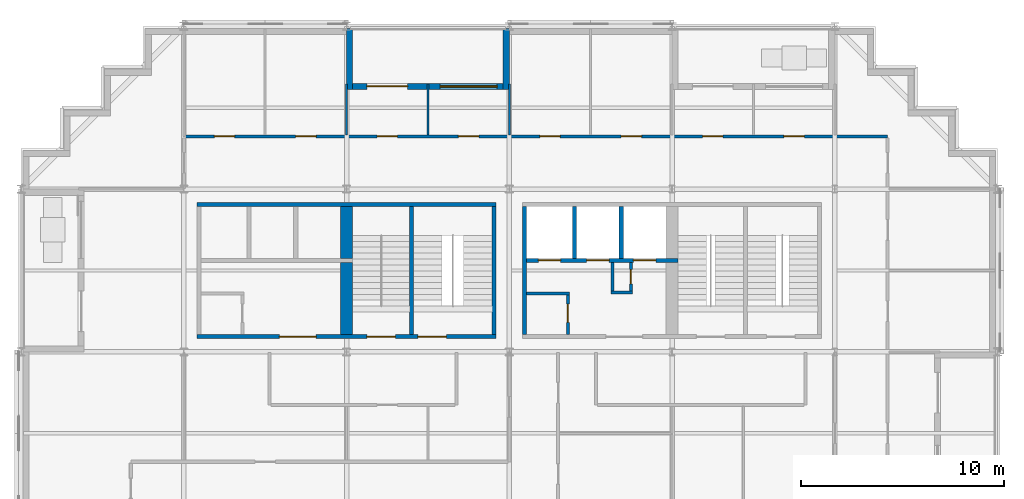
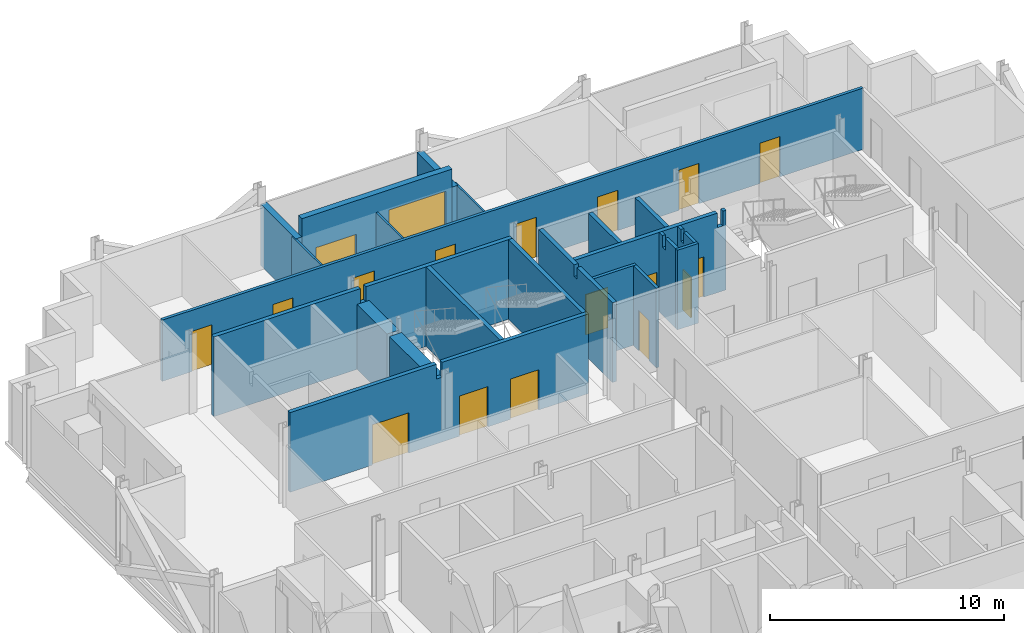
# One storey, part 10 of 15: 22 walls, 17 doors, 1 window, 18 openings.
"""IFC4 building model written with IfcOpenShell, lengths in metres."""

from ifc_helpers import new_model, si_unit, direction, frame, frame_2d, origin, place, context, subcontext, project, spatial, polyline, rectangle, outline, extrude, material, layer, layer_set, type_object, element, fill, save


model = new_model("IFC4")

# Units and contexts
model_context = context("Model", 3, precision=1e-05, world=origin(), true_north=direction((0.0, 1.0)))
body_context = subcontext(model_context, "Body", "Model", "MODEL_VIEW")
ifc_project = project(units=[si_unit("LENGTHUNIT", "METRE"), si_unit("AREAUNIT", "SQUARE_METRE"), si_unit("VOLUMEUNIT", "CUBIC_METRE"), si_unit("PLANEANGLEUNIT", "RADIAN"), si_unit("MASSUNIT", "GRAM", prefix="KILO")], contexts=[model_context])

# Site, building, storey
site_placement = place(None, origin())
site = spatial("IfcSite", under=ifc_project, at=site_placement, CompositionType="ELEMENT")
building_placement = place(site_placement, origin())
building = spatial("IfcBuilding", under=site, at=building_placement, Name="Immortelle Media Tower", CompositionType="ELEMENT")
storey_placement = place(building_placement, frame((0.0, 0.0, 109.60009765625)))
storey = spatial("IfcBuildingStorey", under=building, at=storey_placement, Name="L21", CompositionType="ELEMENT", Elevation=109.60009765625)

# Wall
ifc_material_1 = material(Name="Fire-rated gypsum board", Category="gypsum")
ifc_layer_1 = layer(ifc_material_1, 0.02490234375)
ifc_material_2 = material(Name="Steel ASTM A653 SS Gr 50 stud frame with mineral wool", Category="steel")
ifc_layer_2 = layer(ifc_material_2, 0.10009765625)
ifc_layer_3 = layer(ifc_material_1, 0.02490234375)
ifc_layer_set_1 = layer_set([ifc_layer_1, ifc_layer_2, ifc_layer_3], Name="Steel ASTM A653 SS Gr 50 stud frame with mineral wool")
wall_type_1 = type_object("IfcWallType", Name="Core partition 150", PredefinedType="PARTITIONING", material=ifc_layer_set_1)
wall_1_placement = place(storey_placement, frame((24.85009765625, 34.875, 0.0), z_axis=(0.0, 0.0, 1.0), x_axis=(1.0, 0.0, 0.0)))
element("IfcWall", 1, at=wall_1_placement, inside=storey, type_object=wall_type_1, Name="Core partition NE", PredefinedType="PARTITIONING", context=body_context, shape_type="SweptSolid", body=[
    extrude(rectangle(XDim=2.099853515625, YDim=0.14990234375, at=frame_2d((1.0498046875, 0.0))), origin(), (0.0, 0.0, 1.0), 4.14990234375),
])

# Wall, opening, door
wall_2_placement = place(storey_placement, frame((26.875, 32.85009765625, 0.0), z_axis=(0.0, 0.0, 1.0), x_axis=(0.0, 1.0, 0.0)))
wall_2 = element("IfcWall", 2, at=wall_2_placement, inside=storey, type_object=wall_type_1, Name="Core partition NE", PredefinedType="PARTITIONING", context=body_context, shape_type="SweptSolid", body=[
    extrude(rectangle(XDim=1.949951171875, YDim=0.14990234375, at=frame_2d((0.97509765625, 0.0))), origin(), (0.0, 0.0, 1.0), 4.14990234375),
])
opening_1_placement = place(wall_2_placement, frame((0.60009765625, 0.0, 0.0)))
opening_1 = element("IfcOpeningElement", 3, at=opening_1_placement, cuts=wall_2, Name="Opening N7-K028", PredefinedType="OPENING", context=body_context, shape_type="SweptSolid", body=[
    extrude(rectangle(XDim=0.89990234375, YDim=2.10009765625, at=frame_2d((0.449951171875, 1.050048828125))), frame((0.0, 0.0849609375, 0.0), z_axis=(0.0, -1.0, 0.0), x_axis=(1.0, 0.0, 0.0)), (0.0, 0.0, 1.0), 0.169921875),
])
ifc_material_3 = material(Name="Galvanised steel door leaf and frame ASTM A653", Category="steel")
door_type_1 = type_object("IfcDoorType", Name="Service door 900 x 2100", OperationType="NOTDEFINED", PredefinedType="NOTDEFINED", material=ifc_material_3)
door_1_placement = place(opening_1_placement, origin())
door_1 = element("IfcDoor", 4, at=door_1_placement, inside=storey, type_object=door_type_1, Name="Service N7-K028", OperationType="SINGLE_SWING_LEFT", OverallHeight=2.10009765625, OverallWidth=0.89990234375, PredefinedType="NOTDEFINED", context=body_context, shape_type="SweptSolid", body=[
    extrude(rectangle(XDim=0.89990234375, YDim=2.10009765625, at=frame_2d((0.449951171875, 1.050048828125))), frame((0.0, 0.02490234375, 0.0), z_axis=(0.0, -1.0, 0.0), x_axis=(1.0, 0.0, 0.0)), (0.0, 0.0, 1.0), 0.050048828125),
])
fill(opening_1, door_1)

# Walls
wall_3_placement = place(storey_placement, frame((29.0, 34.925048828125, 0.0), z_axis=(0.0, 0.0, 1.0), x_axis=(1.0, 0.0, 0.0)))
element("IfcWall", 5, at=wall_3_placement, inside=storey, type_object=wall_type_1, Name="Core partition NE", PredefinedType="PARTITIONING", context=body_context, shape_type="SweptSolid", body=[
    extrude(rectangle(XDim=1.050048828125, YDim=0.14990234375, at=frame_2d((0.52490234375, 0.0))), origin(), (0.0, 0.0, 1.0), 4.14990234375),
])
wall_4_placement = place(storey_placement, frame((29.074951171875, 35.0, 0.0), z_axis=(0.0, 0.0, 1.0), x_axis=(0.0, 1.0, 0.0)))
element("IfcWall", 6, at=wall_4_placement, inside=storey, type_object=wall_type_1, Name="Core partition NE", PredefinedType="PARTITIONING", context=body_context, shape_type="SweptSolid", body=[
    extrude(outline(polyline([(0.0, 0.0), (1.39990234375, 0.0), (1.39990234375, 4.14990234375), (1.118896484375, 4.14990234375), (1.117919921875, 3.5419921875), (0.882080078125, 3.5419921875), (0.881103515625, 4.14990234375), (0.0, 4.14990234375), (0.0, 0.0)])), frame((0.0, 0.074951171875, 0.0), z_axis=(0.0, -1.0, 0.0), x_axis=(1.0, 0.0, 0.0)), (0.0, 0.0, 1.0), 0.14990234375),
])

# Wall, opening, door
wall_5_placement = place(storey_placement, frame((29.97509765625, 35.0, 0.0), z_axis=(0.0, 0.0, 1.0), x_axis=(0.0, 1.0, 0.0)))
wall_5 = element("IfcWall", 7, at=wall_5_placement, inside=storey, type_object=wall_type_1, Name="Core partition NE", PredefinedType="PARTITIONING", context=body_context, shape_type="SweptSolid", body=[
    extrude(outline(polyline([(0.0, 0.0), (1.39990234375, 0.0), (1.39990234375, 4.14990234375), (1.118896484375, 4.14990234375), (1.117919921875, 3.5419921875), (0.882080078125, 3.5419921875), (0.881103515625, 4.14990234375), (0.0, 4.14990234375), (0.0, 0.0)])), frame((0.0, 0.074951171875, 0.0), z_axis=(0.0, -1.0, 0.0), x_axis=(1.0, 0.0, 0.0)), (0.0, 0.0, 1.0), 0.14990234375),
])
opening_2_placement = place(wall_5_placement, frame((0.35009765625, 0.0, 0.0)))
opening_2 = element("IfcOpeningElement", 8, at=opening_2_placement, cuts=wall_5, Name="Opening N7-K031", PredefinedType="OPENING", context=body_context, shape_type="SweptSolid", body=[
    extrude(rectangle(XDim=0.699951171875, YDim=2.10009765625, at=frame_2d((0.35009765625, 1.050048828125))), frame((0.0, 0.0849609375, 0.0), z_axis=(0.0, -1.0, 0.0), x_axis=(1.0, 0.0, 0.0)), (0.0, 0.0, 1.0), 0.169921875),
])
door_type_2 = type_object("IfcDoorType", Name="Service door 700 x 2100", OperationType="NOTDEFINED", PredefinedType="NOTDEFINED", material=ifc_material_3)
door_2_placement = place(opening_2_placement, origin())
door_2 = element("IfcDoor", 9, at=door_2_placement, inside=storey, type_object=door_type_2, Name="Service N7-K031", OperationType="SINGLE_SWING_RIGHT", OverallHeight=2.10009765625, OverallWidth=0.699951171875, PredefinedType="NOTDEFINED", context=body_context, shape_type="SweptSolid", body=[
    extrude(rectangle(XDim=0.699951171875, YDim=2.10009765625, at=frame_2d((0.35009765625, 1.050048828125))), frame((0.0, 0.02490234375, 0.0), z_axis=(0.0, -1.0, 0.0), x_axis=(1.0, 0.0, 0.0)), (0.0, 0.0, 1.0), 0.050048828125),
])
fill(opening_2, door_2)

# Wall
ifc_layer_4 = layer(ifc_material_1, 0.03759765625)
ifc_layer_5 = layer(ifc_material_2, 0.125)
ifc_layer_6 = layer(ifc_material_1, 0.03759765625)
ifc_layer_set_2 = layer_set([ifc_layer_4, ifc_layer_5, ifc_layer_6], Name="Steel ASTM A653 SS Gr 50 stud frame with mineral wool")
wall_type_2 = type_object("IfcWallType", Name="Core shaft wall 200", PredefinedType="PARTITIONING", material=ifc_layer_set_2)
wall_6_placement = place(storey_placement, frame((24.75, 32.85009765625, 0.0), z_axis=(0.0, 0.0, 1.0), x_axis=(0.0, 1.0, 0.0)))
element("IfcWall", 10, at=wall_6_placement, inside=storey, type_object=wall_type_2, Name="Core shaft wall NE", PredefinedType="PARTITIONING", context=body_context, shape_type="SweptSolid", body=[
    extrude(outline(polyline([(0.0, 0.0), (6.2998046875, 0.0), (6.300048828125, 4.14990234375), (3.26904296875, 4.14990234375), (3.26806640625, 3.5419921875), (3.031982421875, 3.5419921875), (3.031005859375, 4.14990234375), (0.0, 4.14990234375), (0.0, 0.0)])), frame((0.0, 0.10009765625, 0.0), z_axis=(0.0, -1.0, 0.0), x_axis=(1.0, 0.0, 0.0)), (0.0, 0.0, 1.0), 0.199951171875),
])

# Wall, openings, doors
wall_7_placement = place(storey_placement, frame((24.85009765625, 36.5, 0.0), z_axis=(0.0, 0.0, 1.0), x_axis=(1.0, 0.0, 0.0)))
wall_7 = element("IfcWall", 11, at=wall_7_placement, inside=storey, type_object=wall_type_2, Name="Core shaft wall NE", PredefinedType="PARTITIONING", context=body_context, shape_type="SweptSolid", body=[
    extrude(outline(polyline([(0.0, 0.0), (7.449951171875, 0.0), (7.449951171875, 4.14990234375), (7.28857421875, 4.14990234375), (7.28759765625, 3.3818359375), (7.012451171875, 3.3818359375), (7.011474609375, 4.14990234375), (0.0, 4.14990234375), (0.0, 0.0)])), frame((0.0, 0.10009765625, 0.0), z_axis=(0.0, -1.0, 0.0), x_axis=(1.0, 0.0, 0.0)), (0.0, 0.0, 1.0), 0.199951171875),
])
opening_3_placement = place(wall_7_placement, frame((0.574951171875, 0.0, 0.0)))
opening_3 = element("IfcOpeningElement", 12, at=opening_3_placement, cuts=wall_7, Name="Opening LD", PredefinedType="OPENING", context=body_context, shape_type="SweptSolid", body=[
    extrude(rectangle(XDim=1.10009765625, YDim=2.10009765625, at=frame_2d((0.550048828125, 1.050048828125))), frame((0.0, 0.10986328125, 0.0), z_axis=(0.0, -1.0, 0.0), x_axis=(1.0, 0.0, 0.0)), (0.0, 0.0, 1.0), 0.219970703125),
])
opening_4_placement = place(wall_7_placement, frame((2.949951171875, 0.0, 0.0)))
opening_4 = element("IfcOpeningElement", 13, at=opening_4_placement, cuts=wall_7, Name="Opening LD", PredefinedType="OPENING", context=body_context, shape_type="SweptSolid", body=[
    extrude(rectangle(XDim=1.10009765625, YDim=2.10009765625, at=frame_2d((0.550048828125, 1.050048828125))), frame((0.0, 0.10986328125, 0.0), z_axis=(0.0, -1.0, 0.0), x_axis=(1.0, 0.0, 0.0)), (0.0, 0.0, 1.0), 0.219970703125),
])
opening_5_placement = place(wall_7_placement, frame((5.25, 0.0, 0.0)))
opening_5 = element("IfcOpeningElement", 14, at=opening_5_placement, cuts=wall_7, Name="Opening LD", PredefinedType="OPENING", context=body_context, shape_type="SweptSolid", body=[
    extrude(rectangle(XDim=1.10009765625, YDim=2.10009765625, at=frame_2d((0.550048828125, 1.050048828125))), frame((0.0, 0.10986328125, 0.0), z_axis=(0.0, -1.0, 0.0), x_axis=(1.0, 0.0, 0.0)), (0.0, 0.0, 1.0), 0.219970703125),
])
ifc_material_4 = material(Name="Stainless steel AISI 304", Category="steel")
door_type_3 = type_object("IfcDoorType", Name="Landing door 1100 x 2100", OperationType="SLIDING_TO_LEFT", PredefinedType="NOTDEFINED", material=ifc_material_4)
door_3_placement = place(opening_3_placement, origin())
door_3 = element("IfcDoor", 15, at=door_3_placement, inside=storey, type_object=door_type_3, Name="Landing door LR1 L21", OperationType="SLIDING_TO_LEFT", OverallHeight=2.10009765625, OverallWidth=1.10009765625, PredefinedType="NOTDEFINED", context=body_context, shape_type="SweptSolid", body=[
    extrude(rectangle(XDim=1.10009765625, YDim=2.10009765625, at=frame_2d((0.550048828125, 1.050048828125))), frame((0.0, 0.02490234375, 0.0), z_axis=(0.0, -1.0, 0.0), x_axis=(1.0, 0.0, 0.0)), (0.0, 0.0, 1.0), 0.050048828125),
])
fill(opening_3, door_3)
door_4_placement = place(opening_4_placement, origin())
door_4 = element("IfcDoor", 16, at=door_4_placement, inside=storey, type_object=door_type_3, Name="Landing door LR2 L21", OperationType="SLIDING_TO_LEFT", OverallHeight=2.10009765625, OverallWidth=1.10009765625, PredefinedType="NOTDEFINED", context=body_context, shape_type="SweptSolid", body=[
    extrude(rectangle(XDim=1.10009765625, YDim=2.10009765625, at=frame_2d((0.550048828125, 1.050048828125))), frame((0.0, 0.02490234375, 0.0), z_axis=(0.0, -1.0, 0.0), x_axis=(1.0, 0.0, 0.0)), (0.0, 0.0, 1.0), 0.050048828125),
])
fill(opening_4, door_4)
door_5_placement = place(opening_5_placement, origin())
door_5 = element("IfcDoor", 17, at=door_5_placement, inside=storey, type_object=door_type_3, Name="Landing door LR3 L21", OperationType="SLIDING_TO_LEFT", OverallHeight=2.10009765625, OverallWidth=1.10009765625, PredefinedType="NOTDEFINED", context=body_context, shape_type="SweptSolid", body=[
    extrude(rectangle(XDim=1.10009765625, YDim=2.10009765625, at=frame_2d((0.550048828125, 1.050048828125))), frame((0.0, 0.02490234375, 0.0), z_axis=(0.0, -1.0, 0.0), x_axis=(1.0, 0.0, 0.0)), (0.0, 0.0, 1.0), 0.050048828125),
])
fill(opening_5, door_5)

# Walls
for number, where, z_axis, x_axis, name in (
    (18, (27.199951171875, 36.60009765625, 0.0), (0.0, 0.0, 1.0), (0.0, 1.0, 0.0), "Core shaft wall NE"),
    (19, (29.5, 36.60009765625, 0.0), (0.0, 0.0, 1.0), (0.0, 1.0, 0.0), "Core shaft wall NE"),
):
    element("IfcWall", number, at=place(storey_placement, frame(where, z_axis=z_axis, x_axis=x_axis)), inside=storey, type_object=wall_type_2, Name=name, PredefinedType="PARTITIONING", context=body_context, shape_type="SweptSolid", body=[
        extrude(rectangle(XDim=2.5498046875, YDim=0.199951171875, at=frame_2d((1.27490234375, 0.0))), origin(), (0.0, 0.0, 1.0), 4.14990234375),
    ])

# Wall, openings, doors
ifc_layer_7 = layer(ifc_material_1, 0.012451171875)
ifc_layer_8 = layer(ifc_material_2, 0.125)
ifc_layer_9 = layer(ifc_material_1, 0.012451171875)
ifc_layer_set_3 = layer_set([ifc_layer_7, ifc_layer_8, ifc_layer_9], Name="Steel ASTM A653 SS Gr 50 stud frame with mineral wool")
wall_type_3 = type_object("IfcWallType", Name="Corridor wall 150", PredefinedType="PARTITIONING", material=ifc_layer_set_3)
wall_8_placement = place(storey_placement, frame((8.050048828125, 42.60009765625, 0.0), z_axis=(0.0, 0.0, 1.0), x_axis=(1.0, 0.0, 0.0)))
wall_8 = element("IfcWall", 20, at=wall_8_placement, inside=storey, type_object=wall_type_3, Name="Partition L21-045", PredefinedType="PARTITIONING", context=body_context, shape_type="SweptSolid", body=[
    extrude(rectangle(XDim=34.550048828125, YDim=0.14990234375, at=frame_2d((17.27490234375, 0.0))), origin(), (0.0, 0.0, 1.0), 3.19384765625),
])
opening_6_placement = place(wall_8_placement, frame((9.449951171875, 0.0, 0.0)))
opening_6 = element("IfcOpeningElement", 21, at=opening_6_placement, cuts=wall_8, Name="Opening N7-F027", PredefinedType="OPENING", context=body_context, shape_type="SweptSolid", body=[
    extrude(rectangle(XDim=1.0, YDim=2.10009765625, at=frame_2d((0.5, 1.050048828125))), frame((0.0, 0.0849609375, 0.0), z_axis=(0.0, -1.0, 0.0), x_axis=(1.0, 0.0, 0.0)), (0.0, 0.0, 1.0), 0.169921875),
])
opening_7_placement = place(wall_8_placement, frame((13.449951171875, 0.0, 0.0)))
opening_7 = element("IfcOpeningElement", 22, at=opening_7_placement, cuts=wall_8, Name="Opening N7-F028", PredefinedType="OPENING", context=body_context, shape_type="SweptSolid", body=[
    extrude(rectangle(XDim=1.0, YDim=2.10009765625, at=frame_2d((0.5, 1.050048828125))), frame((0.0, 0.0849609375, 0.0), z_axis=(0.0, -1.0, 0.0), x_axis=(1.0, 0.0, 0.0)), (0.0, 0.0, 1.0), 0.169921875),
])
opening_8_placement = place(wall_8_placement, frame((25.449951171875, 0.0, 0.0)))
opening_8 = element("IfcOpeningElement", 23, at=opening_8_placement, cuts=wall_8, Name="Opening N7-F029", PredefinedType="OPENING", context=body_context, shape_type="SweptSolid", body=[
    extrude(rectangle(XDim=1.0, YDim=2.10009765625, at=frame_2d((0.5, 1.050048828125))), frame((0.0, 0.0849609375, 0.0), z_axis=(0.0, -1.0, 0.0), x_axis=(1.0, 0.0, 0.0)), (0.0, 0.0, 1.0), 0.169921875),
])
opening_9_placement = place(wall_8_placement, frame((29.449951171875, 0.0, 0.0)))
opening_9 = element("IfcOpeningElement", 24, at=opening_9_placement, cuts=wall_8, Name="Opening N7-F030", PredefinedType="OPENING", context=body_context, shape_type="SweptSolid", body=[
    extrude(rectangle(XDim=1.0, YDim=2.10009765625, at=frame_2d((0.5, 1.050048828125))), frame((0.0, 0.0849609375, 0.0), z_axis=(0.0, -1.0, 0.0), x_axis=(1.0, 0.0, 0.0)), (0.0, 0.0, 1.0), 0.169921875),
])
opening_10_placement = place(wall_8_placement, frame((1.449951171875, 0.0, 0.0)))
opening_10 = element("IfcOpeningElement", 25, at=opening_10_placement, cuts=wall_8, Name="Opening N7-F031", PredefinedType="OPENING", context=body_context, shape_type="SweptSolid", body=[
    extrude(rectangle(XDim=1.0, YDim=2.10009765625, at=frame_2d((0.5, 1.050048828125))), frame((0.0, 0.0849609375, 0.0), z_axis=(0.0, -1.0, 0.0), x_axis=(1.0, 0.0, 0.0)), (0.0, 0.0, 1.0), 0.169921875),
])
opening_11_placement = place(wall_8_placement, frame((5.449951171875, 0.0, 0.0)))
opening_11 = element("IfcOpeningElement", 26, at=opening_11_placement, cuts=wall_8, Name="Opening N7-F032", PredefinedType="OPENING", context=body_context, shape_type="SweptSolid", body=[
    extrude(rectangle(XDim=1.0, YDim=2.10009765625, at=frame_2d((0.5, 1.050048828125))), frame((0.0, 0.0849609375, 0.0), z_axis=(0.0, -1.0, 0.0), x_axis=(1.0, 0.0, 0.0)), (0.0, 0.0, 1.0), 0.169921875),
])
opening_12_placement = place(wall_8_placement, frame((17.449951171875, 0.0, 0.0)))
opening_12 = element("IfcOpeningElement", 27, at=opening_12_placement, cuts=wall_8, Name="Opening N7-F033", PredefinedType="OPENING", context=body_context, shape_type="SweptSolid", body=[
    extrude(rectangle(XDim=1.0, YDim=2.10009765625, at=frame_2d((0.5, 1.050048828125))), frame((0.0, 0.0849609375, 0.0), z_axis=(0.0, -1.0, 0.0), x_axis=(1.0, 0.0, 0.0)), (0.0, 0.0, 1.0), 0.169921875),
])
opening_13_placement = place(wall_8_placement, frame((21.449951171875, 0.0, 0.0)))
opening_13 = element("IfcOpeningElement", 28, at=opening_13_placement, cuts=wall_8, Name="Opening N7-F034", PredefinedType="OPENING", context=body_context, shape_type="SweptSolid", body=[
    extrude(rectangle(XDim=1.0, YDim=2.10009765625, at=frame_2d((0.5, 1.050048828125))), frame((0.0, 0.0849609375, 0.0), z_axis=(0.0, -1.0, 0.0), x_axis=(1.0, 0.0, 0.0)), (0.0, 0.0, 1.0), 0.169921875),
])
ifc_material_5 = material(Name="Timber veneered door leaf, galvanised steel frame ASTM A653", Category="steel")
door_type_4 = type_object("IfcDoorType", Name="Room door 1000 x 2100", OperationType="NOTDEFINED", PredefinedType="DOOR", material=ifc_material_5)
door_6_placement = place(opening_6_placement, origin())
door_6 = element("IfcDoor", 29, at=door_6_placement, inside=storey, type_object=door_type_4, Name="Door N7-F027", OperationType="SINGLE_SWING_LEFT", OverallHeight=2.10009765625, OverallWidth=1.0, PredefinedType="DOOR", context=body_context, shape_type="SweptSolid", body=[
    extrude(rectangle(XDim=1.0, YDim=2.10009765625, at=frame_2d((0.5, 1.050048828125))), frame((0.0, 0.02490234375, 0.0), z_axis=(0.0, -1.0, 0.0), x_axis=(1.0, 0.0, 0.0)), (0.0, 0.0, 1.0), 0.050048828125),
])
fill(opening_6, door_6)
door_7_placement = place(opening_7_placement, origin())
door_7 = element("IfcDoor", 30, at=door_7_placement, inside=storey, type_object=door_type_4, Name="Door N7-F028", OperationType="SINGLE_SWING_RIGHT", OverallHeight=2.10009765625, OverallWidth=1.0, PredefinedType="DOOR", context=body_context, shape_type="SweptSolid", body=[
    extrude(rectangle(XDim=1.0, YDim=2.10009765625, at=frame_2d((0.5, 1.050048828125))), frame((0.0, 0.02490234375, 0.0), z_axis=(0.0, -1.0, 0.0), x_axis=(1.0, 0.0, 0.0)), (0.0, 0.0, 1.0), 0.050048828125),
])
fill(opening_7, door_7)
door_8_placement = place(opening_8_placement, origin())
door_8 = element("IfcDoor", 31, at=door_8_placement, inside=storey, type_object=door_type_4, Name="Door N7-F029", OperationType="SINGLE_SWING_RIGHT", OverallHeight=2.10009765625, OverallWidth=1.0, PredefinedType="DOOR", context=body_context, shape_type="SweptSolid", body=[
    extrude(rectangle(XDim=1.0, YDim=2.10009765625, at=frame_2d((0.5, 1.050048828125))), frame((0.0, 0.02490234375, 0.0), z_axis=(0.0, -1.0, 0.0), x_axis=(1.0, 0.0, 0.0)), (0.0, 0.0, 1.0), 0.050048828125),
])
fill(opening_8, door_8)
door_9_placement = place(opening_9_placement, origin())
door_9 = element("IfcDoor", 32, at=door_9_placement, inside=storey, type_object=door_type_4, Name="Door N7-F030", OperationType="SINGLE_SWING_RIGHT", OverallHeight=2.10009765625, OverallWidth=1.0, PredefinedType="DOOR", context=body_context, shape_type="SweptSolid", body=[
    extrude(rectangle(XDim=1.0, YDim=2.10009765625, at=frame_2d((0.5, 1.050048828125))), frame((0.0, 0.02490234375, 0.0), z_axis=(0.0, -1.0, 0.0), x_axis=(1.0, 0.0, 0.0)), (0.0, 0.0, 1.0), 0.050048828125),
])
fill(opening_9, door_9)
door_10_placement = place(opening_10_placement, origin())
door_10 = element("IfcDoor", 33, at=door_10_placement, inside=storey, type_object=door_type_4, Name="Door N7-F031", OperationType="SINGLE_SWING_LEFT", OverallHeight=2.10009765625, OverallWidth=1.0, PredefinedType="DOOR", context=body_context, shape_type="SweptSolid", body=[
    extrude(rectangle(XDim=1.0, YDim=2.10009765625, at=frame_2d((0.5, 1.050048828125))), frame((0.0, 0.02490234375, 0.0), z_axis=(0.0, -1.0, 0.0), x_axis=(1.0, 0.0, 0.0)), (0.0, 0.0, 1.0), 0.050048828125),
])
fill(opening_10, door_10)
door_11_placement = place(opening_11_placement, origin())
door_11 = element("IfcDoor", 34, at=door_11_placement, inside=storey, type_object=door_type_4, Name="Door N7-F032", OperationType="SINGLE_SWING_RIGHT", OverallHeight=2.10009765625, OverallWidth=1.0, PredefinedType="DOOR", context=body_context, shape_type="SweptSolid", body=[
    extrude(rectangle(XDim=1.0, YDim=2.10009765625, at=frame_2d((0.5, 1.050048828125))), frame((0.0, 0.02490234375, 0.0), z_axis=(0.0, -1.0, 0.0), x_axis=(1.0, 0.0, 0.0)), (0.0, 0.0, 1.0), 0.050048828125),
])
fill(opening_11, door_11)
door_12_placement = place(opening_12_placement, origin())
door_12 = element("IfcDoor", 35, at=door_12_placement, inside=storey, type_object=door_type_4, Name="Door N7-F033", OperationType="SINGLE_SWING_RIGHT", OverallHeight=2.10009765625, OverallWidth=1.0, PredefinedType="DOOR", context=body_context, shape_type="SweptSolid", body=[
    extrude(rectangle(XDim=1.0, YDim=2.10009765625, at=frame_2d((0.5, 1.050048828125))), frame((0.0, 0.02490234375, 0.0), z_axis=(0.0, -1.0, 0.0), x_axis=(1.0, 0.0, 0.0)), (0.0, 0.0, 1.0), 0.050048828125),
])
fill(opening_12, door_12)
door_13_placement = place(opening_13_placement, origin())
door_13 = element("IfcDoor", 36, at=door_13_placement, inside=storey, type_object=door_type_4, Name="Door N7-F034", OperationType="SINGLE_SWING_RIGHT", OverallHeight=2.10009765625, OverallWidth=1.0, PredefinedType="DOOR", context=body_context, shape_type="SweptSolid", body=[
    extrude(rectangle(XDim=1.0, YDim=2.10009765625, at=frame_2d((0.5, 1.050048828125))), frame((0.0, 0.02490234375, 0.0), z_axis=(0.0, -1.0, 0.0), x_axis=(1.0, 0.0, 0.0)), (0.0, 0.0, 1.0), 0.050048828125),
])
fill(opening_13, door_13)

# Wall, openings, door, window
ifc_material_6 = material(Name="Pale aluminium cladding panel", Category="aluminium")
ifc_layer_10 = layer(ifc_material_6, 0.030029296875)
ifc_layer_11 = layer(ifc_material_2, 0.257568359375)
ifc_material_7 = material(Name="Moisture-resistant gypsum board", Category="gypsum")
ifc_layer_12 = layer(ifc_material_7, 0.012451171875)
ifc_layer_set_4 = layer_set([ifc_layer_10, ifc_layer_11, ifc_layer_12], Name="Steel ASTM A653 SS Gr 50 stud frame with mineral wool")
wall_type_4 = type_object("IfcWallType", Name="Facade wall 300", PredefinedType="SOLIDWALL", material=ifc_layer_set_4)
wall_9_placement = place(storey_placement, frame((23.699951171875, 45.050048828125, 0.0), z_axis=(0.0, 0.0, 1.0), x_axis=(-1.0, 0.0, 0.0)))
wall_9 = element("IfcWall", 37, at=wall_9_placement, inside=storey, type_object=wall_type_4, Name="Loggia wall L21 N21", PredefinedType="SOLIDWALL", context=body_context, shape_type="SweptSolid", body=[
    extrude(rectangle(XDim=7.39990234375, YDim=0.300048828125, at=frame_2d((3.699951171875, 0.0))), origin(), (0.0, 0.0, 1.0), 4.14990234375),
])
opening_14_placement = place(wall_9_placement, frame((0.300048828125, 0.0, 0.89990234375)))
opening_14 = element("IfcOpeningElement", 38, at=opening_14_placement, cuts=wall_9, Name="Opening W1", PredefinedType="OPENING", context=body_context, shape_type="SweptSolid", body=[
    extrude(rectangle(XDim=2.800048828125, YDim=2.199951171875, at=frame_2d((1.39990234375, 1.10009765625))), frame((0.0, 0.159912109375, 0.0), z_axis=(0.0, -1.0, 0.0), x_axis=(1.0, 0.0, 0.0)), (0.0, 0.0, 1.0), 0.320068359375),
])
opening_15_placement = place(wall_9_placement, frame((4.699951171875, 0.0, 0.0)))
opening_15 = element("IfcOpeningElement", 39, at=opening_15_placement, cuts=wall_9, Name="Opening N7-E008", PredefinedType="OPENING", context=body_context, shape_type="SweptSolid", body=[
    extrude(rectangle(XDim=2.0, YDim=2.39990234375, at=frame_2d((1.0, 1.199951171875))), frame((0.0, 0.159912109375, 0.0), z_axis=(0.0, -1.0, 0.0), x_axis=(1.0, 0.0, 0.0)), (0.0, 0.0, 1.0), 0.320068359375),
])
ifc_material_8 = material(Name="Aluminium frame, glazed leaves", Category="aluminium")
door_type_5 = type_object("IfcDoorType", Name="Loggia door 2000 x 2400", OperationType="DOUBLE_DOOR_SINGLE_SWING", PredefinedType="DOOR", material=ifc_material_8)
door_14_placement = place(opening_15_placement, origin())
door_14 = element("IfcDoor", 40, at=door_14_placement, inside=storey, type_object=door_type_5, Name="Door N7-E008", OperationType="DOUBLE_DOOR_SINGLE_SWING", OverallHeight=2.39990234375, OverallWidth=2.0, PredefinedType="DOOR", context=body_context, shape_type="SweptSolid", body=[
    extrude(rectangle(XDim=2.0, YDim=2.39990234375, at=frame_2d((1.0, 1.199951171875))), frame((0.0, 0.02490234375, 0.0), z_axis=(0.0, -1.0, 0.0), x_axis=(1.0, 0.0, 0.0)), (0.0, 0.0, 1.0), 0.050048828125),
])
fill(opening_15, door_14)
ifc_material_9 = material(Name="Aluminium frame", Category="aluminium")
window_type = type_object("IfcWindowType", Name="Window 2800 x 2200", PartitioningType="SINGLE_PANEL", PredefinedType="WINDOW", material=ifc_material_9)
window_placement = place(opening_14_placement, origin())
window = element("IfcWindow", 41, at=window_placement, inside=storey, type_object=window_type, Name="Window L21 L21-R21-B2", OverallHeight=2.199951171875, OverallWidth=2.800048828125, PartitioningType="SINGLE_PANEL", PredefinedType="WINDOW", context=body_context, shape_type="SweptSolid", body=[
    extrude(rectangle(XDim=2.800048828125, YDim=2.199951171875, at=frame_2d((1.39990234375, 1.10009765625))), frame((0.0, 0.030029296875, 0.0), z_axis=(0.0, -1.0, 0.0), x_axis=(1.0, 0.0, 0.0)), (0.0, 0.0, 1.0), 0.06005859375),
])
fill(opening_14, window)

# Walls
for number, where, z_axis, x_axis, name in (
    (42, (23.85009765625, 47.89990234375, 0.0), (0.0, 0.0, 1.0), (0.0, -1.0, 0.0), "Loggia cheek wall L21 N"),
    (43, (16.14990234375, 47.89990234375, 0.0), (0.0, 0.0, 1.0), (0.0, -1.0, 0.0), "Loggia cheek wall L21 N"),
):
    element("IfcWall", number, at=place(storey_placement, frame(where, z_axis=z_axis, x_axis=x_axis)), inside=storey, type_object=wall_type_4, Name=name, PredefinedType="SOLIDWALL", context=body_context, shape_type="SweptSolid", body=[
        extrude(rectangle(XDim=3.0, YDim=0.300048828125, at=frame_2d((1.5, 0.0))), origin(), (0.0, 0.0, 1.0), 3.198974609375),
    ])
ifc_material_10 = material(Name="Gypsum board", Category="gypsum")
ifc_layer_13 = layer(ifc_material_10, 0.012451171875)
ifc_layer_14 = layer(ifc_material_2, 0.074951171875)
ifc_layer_15 = layer(ifc_material_10, 0.012451171875)
ifc_layer_set_5 = layer_set([ifc_layer_13, ifc_layer_14, ifc_layer_15], Name="Steel ASTM A653 SS Gr 50 stud frame with mineral wool")
wall_type_5 = type_object("IfcWallType", Name="Partition 100", PredefinedType="PARTITIONING", material=ifc_layer_set_5)
for number, where, z_axis, x_axis, name in (
    (44, (16.0, 42.675048828125, 0.0), (0.0, 0.0, 1.0), (0.0, 1.0, 0.0), "Partition L21-048"),
    (45, (20.0, 42.675048828125, 0.0), (0.0, 0.0, 1.0), (0.0, 1.0, 0.0), "Partition L21-049"),
    (46, (24.0, 42.675048828125, 0.0), (0.0, 0.0, 1.0), (0.0, 1.0, 0.0), "Partition L21-050"),
):
    element("IfcWall", number, at=place(storey_placement, frame(where, z_axis=z_axis, x_axis=x_axis)), inside=storey, type_object=wall_type_5, Name=name, PredefinedType="PARTITIONING", context=body_context, shape_type="SweptSolid", body=[
        extrude(rectangle(XDim=2.494873046875, YDim=0.10009765625, at=frame_2d((1.24755859375, 0.0))), origin(), (0.0, 0.0, 1.0), 3.19384765625),
    ])

# Wall, openings, doors
ifc_material_11 = material(Name="Concrete C60", Category="concrete")
ifc_layer_16 = layer(ifc_material_11, 0.199951171875)
ifc_layer_set_6 = layer_set([ifc_layer_16], Name="Concrete C60")
wall_type_6 = type_object("IfcWallType", Name="Stair shaft wall 200", PredefinedType="PARTITIONING", material=ifc_layer_set_6)
wall_10_placement = place(storey_placement, frame((8.64990234375, 32.75, 0.0), z_axis=(0.0, 0.0, 1.0), x_axis=(1.0, 0.0, 0.0)))
wall_10 = element("IfcWall", 47, at=wall_10_placement, inside=storey, type_object=wall_type_6, Name="Stair shaft wall NW", PredefinedType="PARTITIONING", context=body_context, shape_type="SweptSolid", body=[
    extrude(outline(polyline([(0.0, 0.0), (14.7001953125, 0.0), (14.699951171875, 4.14990234375), (7.488525390625, 4.14990234375), (7.487548828125, 3.3818359375), (7.21240234375, 3.3818359375), (7.21142578125, 4.14990234375), (0.0, 4.14990234375), (0.0, 0.0)])), frame((0.0, 0.10009765625, 0.0), z_axis=(0.0, -1.0, 0.0), x_axis=(1.0, 0.0, 0.0)), (0.0, 0.0, 1.0), 0.199951171875),
])
opening_16_placement = place(wall_10_placement, frame((4.050048828125, 0.0, 0.0)))
opening_16 = element("IfcOpeningElement", 48, at=opening_16_placement, cuts=wall_10, Name="Opening N7-K023", PredefinedType="OPENING", context=body_context, shape_type="SweptSolid", body=[
    extrude(rectangle(XDim=1.800048828125, YDim=2.10009765625, at=frame_2d((0.89990234375, 1.050048828125))), frame((0.0, 0.10986328125, 0.0), z_axis=(0.0, -1.0, 0.0), x_axis=(1.0, 0.0, 0.0)), (0.0, 0.0, 1.0), 0.219970703125),
])
opening_17_placement = place(wall_10_placement, frame((8.35009765625, 0.0, 0.0)))
opening_17 = element("IfcOpeningElement", 49, at=opening_17_placement, cuts=wall_10, Name="Opening N7-K025", PredefinedType="OPENING", context=body_context, shape_type="SweptSolid", body=[
    extrude(rectangle(XDim=1.39990234375, YDim=2.10009765625, at=frame_2d((0.699951171875, 1.050048828125))), frame((0.0, 0.10986328125, 0.0), z_axis=(0.0, -1.0, 0.0), x_axis=(1.0, 0.0, 0.0)), (0.0, 0.0, 1.0), 0.219970703125),
])
opening_18_placement = place(wall_10_placement, frame((10.85009765625, 0.0, 0.0)))
opening_18 = element("IfcOpeningElement", 50, at=opening_18_placement, cuts=wall_10, Name="Opening N7-K026", PredefinedType="OPENING", context=body_context, shape_type="SweptSolid", body=[
    extrude(rectangle(XDim=1.39990234375, YDim=2.10009765625, at=frame_2d((0.699951171875, 1.050048828125))), frame((0.0, 0.10986328125, 0.0), z_axis=(0.0, -1.0, 0.0), x_axis=(1.0, 0.0, 0.0)), (0.0, 0.0, 1.0), 0.219970703125),
])
door_type_6 = type_object("IfcDoorType", Name="Lift lobby door 1800 x 2100", OperationType="DOUBLE_DOOR_SINGLE_SWING", PredefinedType="NOTDEFINED", material=ifc_material_3)
door_15_placement = place(opening_16_placement, origin())
door_15 = element("IfcDoor", 51, at=door_15_placement, inside=storey, type_object=door_type_6, Name="Lift lobby N7-K023", OperationType="DOUBLE_DOOR_SINGLE_SWING", OverallHeight=2.10009765625, OverallWidth=1.800048828125, PredefinedType="NOTDEFINED", context=body_context, shape_type="SweptSolid", body=[
    extrude(rectangle(XDim=1.800048828125, YDim=2.10009765625, at=frame_2d((0.89990234375, 1.050048828125))), frame((0.0, 0.02490234375, 0.0), z_axis=(0.0, -1.0, 0.0), x_axis=(1.0, 0.0, 0.0)), (0.0, 0.0, 1.0), 0.050048828125),
])
fill(opening_16, door_15)
door_type_7 = type_object("IfcDoorType", Name="Stair door 1400 x 2100", OperationType="DOUBLE_DOOR_SINGLE_SWING", PredefinedType="NOTDEFINED", material=ifc_material_3)
door_16_placement = place(opening_17_placement, origin())
door_16 = element("IfcDoor", 52, at=door_16_placement, inside=storey, type_object=door_type_7, Name="Stair N7-K025", OperationType="DOUBLE_DOOR_SINGLE_SWING", OverallHeight=2.10009765625, OverallWidth=1.39990234375, PredefinedType="NOTDEFINED", context=body_context, shape_type="SweptSolid", body=[
    extrude(rectangle(XDim=1.39990234375, YDim=2.10009765625, at=frame_2d((0.699951171875, 1.050048828125))), frame((0.0, 0.02490234375, 0.0), z_axis=(0.0, -1.0, 0.0), x_axis=(1.0, 0.0, 0.0)), (0.0, 0.0, 1.0), 0.050048828125),
])
fill(opening_17, door_16)
door_17_placement = place(opening_18_placement, origin())
door_17 = element("IfcDoor", 53, at=door_17_placement, inside=storey, type_object=door_type_7, Name="Stair N7-K026", OperationType="DOUBLE_DOOR_SINGLE_SWING", OverallHeight=2.10009765625, OverallWidth=1.39990234375, PredefinedType="NOTDEFINED", context=body_context, shape_type="SweptSolid", body=[
    extrude(rectangle(XDim=1.39990234375, YDim=2.10009765625, at=frame_2d((0.699951171875, 1.050048828125))), frame((0.0, 0.02490234375, 0.0), z_axis=(0.0, -1.0, 0.0), x_axis=(1.0, 0.0, 0.0)), (0.0, 0.0, 1.0), 0.050048828125),
])
fill(opening_18, door_17)

# Walls
wall_11_placement = place(storey_placement, frame((8.64990234375, 39.25, 0.0), z_axis=(0.0, 0.0, 1.0), x_axis=(1.0, 0.0, 0.0)))
element("IfcWall", 54, at=wall_11_placement, inside=storey, type_object=wall_type_6, Name="Stair shaft wall NW", PredefinedType="PARTITIONING", context=body_context, shape_type="SweptSolid", body=[
    extrude(outline(polyline([(0.0, 0.0), (14.7001953125, 0.0), (14.699951171875, 4.14990234375), (7.488525390625, 4.14990234375), (7.487548828125, 3.3818359375), (7.21240234375, 3.3818359375), (7.21142578125, 4.14990234375), (0.0, 4.14990234375), (0.0, 0.0)])), frame((0.0, 0.10009765625, 0.0), z_axis=(0.0, -1.0, 0.0), x_axis=(1.0, 0.0, 0.0)), (0.0, 0.0, 1.0), 0.199951171875),
])
for number, where, z_axis, x_axis, name in (
    (55, (19.199951171875, 32.85009765625, 0.0), (0.0, 0.0, 1.0), (0.0, 1.0, 0.0), "Stair shaft wall NW"),
    (56, (23.25, 32.85009765625, 0.0), (0.0, 0.0, 1.0), (0.0, 1.0, 0.0), "Stair shaft wall NW"),
):
    element("IfcWall", number, at=place(storey_placement, frame(where, z_axis=z_axis, x_axis=x_axis)), inside=storey, type_object=wall_type_6, Name=name, PredefinedType="PARTITIONING", context=body_context, shape_type="SweptSolid", body=[
        extrude(rectangle(XDim=6.2998046875, YDim=0.199951171875, at=frame_2d((3.14990234375, 0.0))), origin(), (0.0, 0.0, 1.0), 4.14990234375),
    ])
ifc_layer_17 = layer(ifc_material_11, 0.60009765625)
ifc_layer_set_7 = layer_set([ifc_layer_17], Name="Concrete C60")
wall_type_7 = type_object("IfcWallType", Name="Stair shaft wall 600", PredefinedType="PARTITIONING", material=ifc_layer_set_7)
wall_12_placement = place(storey_placement, frame((16.0, 32.85009765625, 0.0), z_axis=(0.0, 0.0, 1.0), x_axis=(0.0, 1.0, 0.0)))
element("IfcWall", 57, at=wall_12_placement, inside=storey, type_object=wall_type_7, Name="Stair shaft wall NW", PredefinedType="PARTITIONING", context=body_context, shape_type="SweptSolid", body=[
    extrude(rectangle(XDim=3.5498046875, YDim=0.60009765625, at=frame_2d((1.77490234375, 0.0))), origin(), (0.0, 0.0, 1.0), 3.3818359375),
])
wall_13_placement = place(storey_placement, frame((16.0, 36.60009765625, 0.0), z_axis=(0.0, 0.0, 1.0), x_axis=(0.0, 1.0, 0.0)))
element("IfcWall", 58, at=wall_13_placement, inside=storey, type_object=wall_type_7, Name="Stair shaft wall NW", PredefinedType="PARTITIONING", context=body_context, shape_type="SweptSolid", body=[
    extrude(rectangle(XDim=2.5498046875, YDim=0.60009765625, at=frame_2d((1.27490234375, 0.0))), origin(), (0.0, 0.0, 1.0), 3.3818359375),
])

save(model, "model.ifc")
